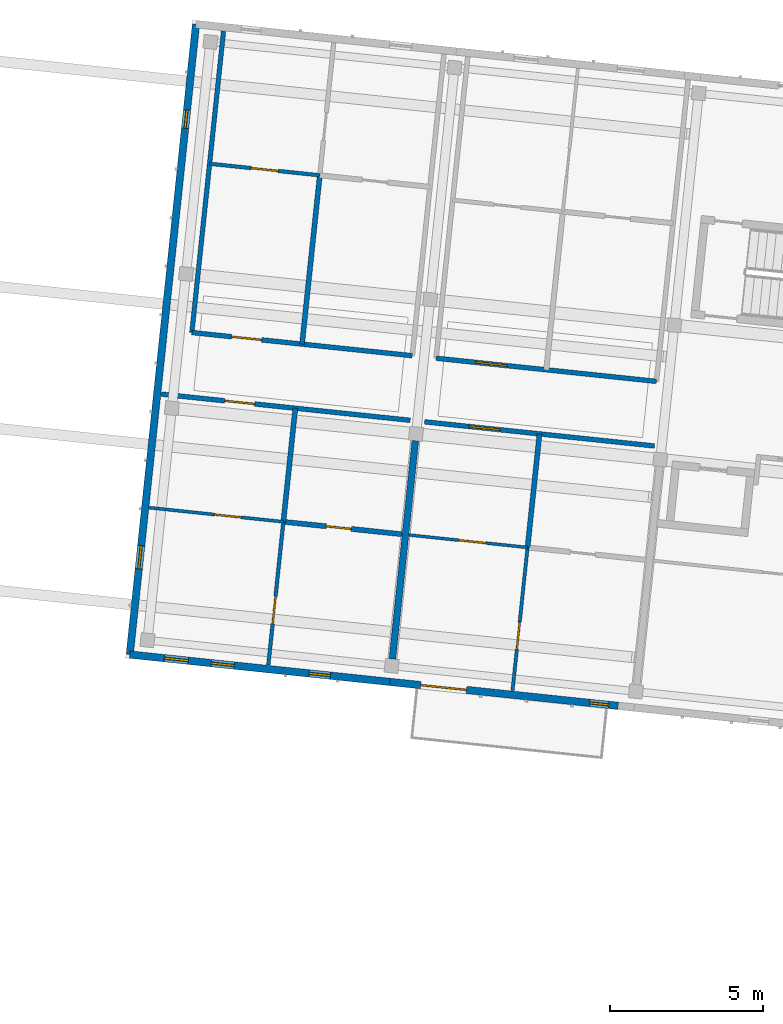
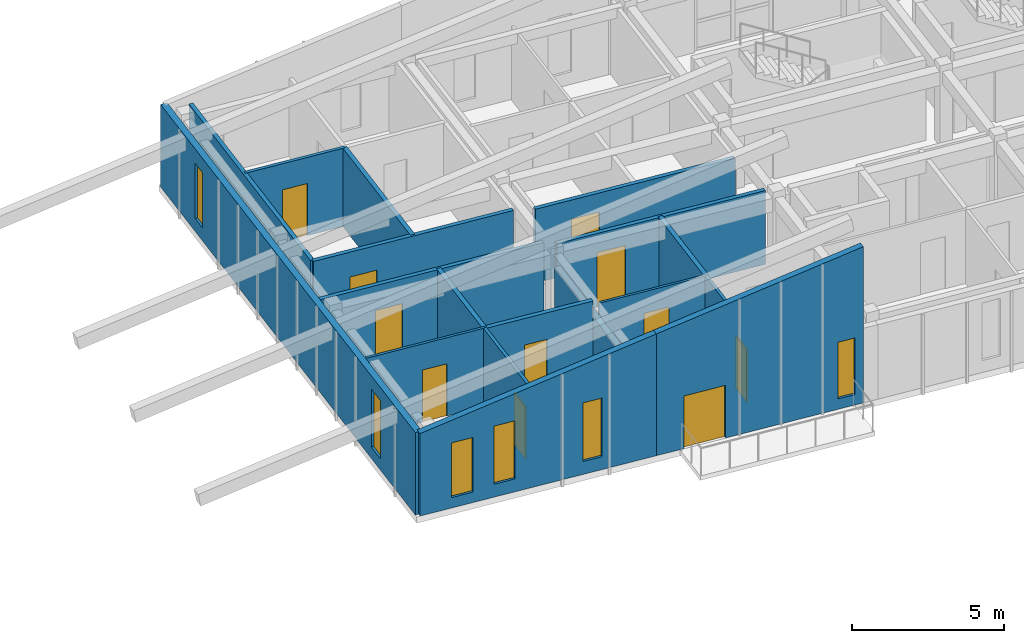
# One storey, part 16 of 34: 18 walls, 11 doors, 6 windows, 17 openings.
"""IFC4 building model written with IfcOpenShell, lengths in metres."""

from ifc_helpers import new_model, si_unit, direction, frame, frame_2d, origin, place, context, subcontext, project, spatial, polyline, rectangle, outline, extrude, material, layer, layer_set, type_object, element, fill, save


model = new_model("IFC4")

# Units and contexts
model_context = context("Model", 3, precision=1e-05, world=origin(), true_north=direction((0.0, 1.0)))
body_context = subcontext(model_context, "Body", "Model", "MODEL_VIEW")
ifc_project = project(units=[si_unit("LENGTHUNIT", "METRE"), si_unit("AREAUNIT", "SQUARE_METRE"), si_unit("VOLUMEUNIT", "CUBIC_METRE"), si_unit("PLANEANGLEUNIT", "RADIAN"), si_unit("MASSUNIT", "GRAM", prefix="KILO")], contexts=[model_context])

# Site, building, storey
site_placement = place(None, origin())
site = spatial("IfcSite", under=ifc_project, at=site_placement, CompositionType="ELEMENT")
building_placement = place(site_placement, origin())
building = spatial("IfcBuilding", under=site, at=building_placement, Name="Kestramere Prow Commons", CompositionType="ELEMENT")
storey_placement = place(building_placement, frame((0.0, 0.0, 34.39990234375)))
storey = spatial("IfcBuildingStorey", under=building, at=storey_placement, Name="L10", CompositionType="ELEMENT", Elevation=34.39990234375)

# Wall, openings, windows
ifc_material_1 = material(Name="Fluoropolymer Standing-Seam Zinc-Aluminium Cladding", Category="aluminium")
ifc_layer_1 = layer(ifc_material_1, 0.239990234375)
ifc_layer_set_1 = layer_set([ifc_layer_1], Name="Fluoropolymer Standing-Seam Zinc-Aluminium Cladding")
wall_type_1 = type_object("IfcWallType", Name="EW-SEAM-240", PredefinedType="SOLIDWALL", material=ifc_layer_set_1)
wall_1_placement = place(storey_placement, frame((125.857421875, 92.60546875, 0.0), z_axis=(0.0, 0.0, 1.0), x_axis=(-0.994521760736, 0.104529744196, 0.0)))
wall_1 = element("IfcWall", 1, at=wall_1_placement, inside=storey, type_object=wall_type_1, Name="Block B L10 South Standing-Seam Wall 2", PredefinedType="SOLIDWALL", context=body_context, shape_type="SweptSolid", body=[
    extrude(outline(polyline([(0.0, 0.0), (8.52490234375, 0.0), (8.52490234375, 3.31884765625), (0.0, 4.900634765625), (0.0, 0.0)])), frame((0.0, 0.1201171875, 0.0), z_axis=(0.0, -1.0, 0.0), x_axis=(1.0, 0.0, 0.0)), (0.0, 0.0, 1.0), 0.239990234375),
])
opening_1_placement = place(wall_1_placement, frame((1.9521484375, 0.0, 0.52001953125)))
opening_1 = element("IfcOpeningElement", 2, at=opening_1_placement, cuts=wall_1, Name="Opening WN-07", PredefinedType="OPENING", context=body_context, shape_type="SweptSolid", body=[
    extrude(rectangle(XDim=0.699951171875, YDim=2.360107421875, at=frame_2d((0.35009765625, 1.18017578125))), frame((0.0, 0.135009765625, 0.0), z_axis=(0.0, -1.0, 0.0), x_axis=(1.0, 0.0, 0.0)), (0.0, 0.0, 1.0), 0.27001953125),
])
opening_2_placement = place(wall_1_placement, frame((5.10009765625, 0.0, 0.52001953125)))
opening_2 = element("IfcOpeningElement", 3, at=opening_2_placement, cuts=wall_1, Name="Opening WN-10", PredefinedType="OPENING", context=body_context, shape_type="SweptSolid", body=[
    extrude(rectangle(XDim=0.760009765625, YDim=2.340087890625, at=frame_2d((0.3798828125, 1.169921875))), frame((0.0, 0.135009765625, 0.0), z_axis=(0.0, -1.0, 0.0), x_axis=(1.0, 0.0, 0.0)), (0.0, 0.0, 1.0), 0.27001953125),
])
opening_3_placement = place(wall_1_placement, frame((6.610107421875, 0.0, 0.419921875)))
opening_3 = element("IfcOpeningElement", 4, at=opening_3_placement, cuts=wall_1, Name="Opening WN-11", PredefinedType="OPENING", context=body_context, shape_type="SweptSolid", body=[
    extrude(rectangle(XDim=0.780029296875, YDim=2.199951171875, at=frame_2d((0.39013671875, 1.10009765625))), frame((0.0, 0.135009765625, 0.0), z_axis=(0.0, -1.0, 0.0), x_axis=(1.0, 0.0, 0.0)), (0.0, 0.0, 1.0), 0.27001953125),
])
ifc_material_2 = material(Name="Low-E Laminated Double Glazing", Category="glass")
window_type_1 = type_object("IfcWindowType", Name="WN-NAR-700A", PartitioningType="SINGLE_PANEL", PredefinedType="WINDOW", material=ifc_material_2)
window_1_placement = place(opening_1_placement, origin())
window_1 = element("IfcWindow", 5, at=window_1_placement, inside=storey, type_object=window_type_1, Name="WN-B-L10-S-1-00", OverallHeight=2.360107421875, OverallWidth=0.699951171875, PartitioningType="SINGLE_PANEL", PredefinedType="WINDOW", context=body_context, shape_type="SweptSolid", body=[
    extrude(rectangle(XDim=0.699951171875, YDim=2.360107421875, at=frame_2d((0.35009765625, 1.18017578125))), frame((0.0, 0.030029296875, 0.0), z_axis=(0.0, -1.0, 0.0), x_axis=(1.0, 0.0, 0.0)), (0.0, 0.0, 1.0), 0.06005859375),
])
fill(opening_1, window_1)
window_type_2 = type_object("IfcWindowType", Name="WN-NAR-760A", PartitioningType="SINGLE_PANEL", PredefinedType="WINDOW", material=ifc_material_2)
window_2_placement = place(opening_2_placement, origin())
window_2 = element("IfcWindow", 6, at=window_2_placement, inside=storey, type_object=window_type_2, Name="WN-B-L10-S-1-10", OverallHeight=2.340087890625, OverallWidth=0.760009765625, PartitioningType="SINGLE_PANEL", PredefinedType="WINDOW", context=body_context, shape_type="SweptSolid", body=[
    extrude(rectangle(XDim=0.760009765625, YDim=2.340087890625, at=frame_2d((0.3798828125, 1.169921875))), frame((0.0, 0.030029296875, 0.0), z_axis=(0.0, -1.0, 0.0), x_axis=(1.0, 0.0, 0.0)), (0.0, 0.0, 1.0), 0.06005859375),
])
fill(opening_2, window_2)
window_type_3 = type_object("IfcWindowType", Name="WN-NAR-780A", PartitioningType="SINGLE_PANEL", PredefinedType="WINDOW", material=ifc_material_2)
window_3_placement = place(opening_3_placement, origin())
window_3 = element("IfcWindow", 7, at=window_3_placement, inside=storey, type_object=window_type_3, Name="WN-B-L10-S-1-11", OverallHeight=2.199951171875, OverallWidth=0.780029296875, PartitioningType="SINGLE_PANEL", PredefinedType="WINDOW", context=body_context, shape_type="SweptSolid", body=[
    extrude(rectangle(XDim=0.780029296875, YDim=2.199951171875, at=frame_2d((0.39013671875, 1.10009765625))), frame((0.0, 0.030029296875, 0.0), z_axis=(0.0, -1.0, 0.0), x_axis=(1.0, 0.0, 0.0)), (0.0, 0.0, 1.0), 0.06005859375),
])
fill(opening_3, window_3)

# Wall, openings, door, window
wall_2_placement = place(storey_placement, frame((133.29150390625, 91.823974609375, 0.0), z_axis=(0.0, 0.0, 1.0), x_axis=(-0.994519939392, 0.104547071461, 0.0)))
wall_2 = element("IfcWall", 8, at=wall_2_placement, inside=storey, type_object=wall_type_1, Name="Block B L10 South Standing-Seam Wall 3", PredefinedType="SOLIDWALL", context=body_context, shape_type="SweptSolid", body=[
    extrude(outline(polyline([(0.0, 0.0), (7.47509765625, 0.0), (7.47509765625, 4.900634765625), (0.0, 6.28759765625), (0.0, 0.0)])), frame((0.0, 0.1201171875, 0.0), z_axis=(0.0, -1.0, 0.0), x_axis=(1.0, 0.0, 0.0)), (0.0, 0.0, 1.0), 0.239990234375),
])
opening_4_placement = place(wall_2_placement, frame((4.969970703125, 0.0, 0.0)))
opening_4 = element("IfcOpeningElement", 9, at=opening_4_placement, cuts=wall_2, Name="Opening GD-BAL-01", PredefinedType="OPENING", context=body_context, shape_type="SweptSolid", body=[
    extrude(rectangle(XDim=1.5, YDim=2.1201171875, at=frame_2d((0.75, 1.06005859375))), frame((0.0, 0.135009765625, 0.0), z_axis=(0.0, -1.0, 0.0), x_axis=(1.0, 0.0, 0.0)), (0.0, 0.0, 1.0), 0.27001953125),
])
opening_5_placement = place(wall_2_placement, frame((0.304931640625, 0.0, 0.419921875)))
opening_5 = element("IfcOpeningElement", 10, at=opening_5_placement, cuts=wall_2, Name="Opening WN-03", PredefinedType="OPENING", context=body_context, shape_type="SweptSolid", body=[
    extrude(rectangle(XDim=0.6201171875, YDim=2.280029296875, at=frame_2d((0.31005859375, 1.14013671875))), frame((0.0, 0.135009765625, 0.0), z_axis=(0.0, -1.0, 0.0), x_axis=(1.0, 0.0, 0.0)), (0.0, 0.0, 1.0), 0.27001953125),
])
ifc_material_3 = material(Name="Thermally-Broken Anodised Aluminium Glazed", Category="aluminium")
door_type_1 = type_object("IfcDoorType", Name="GD-BAL-1500", OperationType="SLIDING_TO_RIGHT", PredefinedType="DOOR", material=ifc_material_3)
door_1_placement = place(opening_4_placement, origin())
door_1 = element("IfcDoor", 11, at=door_1_placement, inside=storey, type_object=door_type_1, Name="Block B L10 Balcony Door 3", OperationType="SLIDING_TO_RIGHT", OverallHeight=2.1201171875, OverallWidth=1.5, PredefinedType="DOOR", context=body_context, shape_type="SweptSolid", body=[
    extrude(rectangle(XDim=1.5, YDim=2.1201171875, at=frame_2d((0.75, 1.06005859375))), frame((0.0, 0.02490234375, 0.0), z_axis=(0.0, -1.0, 0.0), x_axis=(1.0, 0.0, 0.0)), (0.0, 0.0, 1.0), 0.050048828125),
])
fill(opening_4, door_1)
window_type_4 = type_object("IfcWindowType", Name="WN-NAR-620A", PartitioningType="SINGLE_PANEL", PredefinedType="WINDOW", material=ifc_material_2)
window_4_placement = place(opening_5_placement, origin())
window_4 = element("IfcWindow", 12, at=window_4_placement, inside=storey, type_object=window_type_4, Name="WN-B-L10-SR-2", OverallHeight=2.280029296875, OverallWidth=0.6201171875, PartitioningType="SINGLE_PANEL", PredefinedType="WINDOW", context=body_context, shape_type="SweptSolid", body=[
    extrude(rectangle(XDim=0.6201171875, YDim=2.280029296875, at=frame_2d((0.31005859375, 1.14013671875))), frame((0.0, 0.030029296875, 0.0), z_axis=(0.0, -1.0, 0.0), x_axis=(1.0, 0.0, 0.0)), (0.0, 0.0, 1.0), 0.06005859375),
])
fill(opening_5, window_4)

# Wall, openings, windows
wall_3_placement = place(storey_placement, frame((117.379150390625, 93.49658203125, 0.0), z_axis=(0.0, 0.0, 1.0), x_axis=(0.1045253859, 0.994522218808, 0.0)))
wall_3 = element("IfcWall", 13, at=wall_3_placement, inside=storey, type_object=wall_type_1, Name="Block B L10 EAV Facet Wall", PredefinedType="SOLIDWALL", context=body_context, shape_type="SweptSolid", body=[
    extrude(rectangle(XDim=20.64990234375, YDim=0.239990234375, at=frame_2d((10.324951171875, 0.0))), origin(), (0.0, 0.0, 1.0), 3.31884765625),
])
opening_6_placement = place(wall_3_placement, frame((2.81005859375, 0.0, 0.449951171875)))
opening_6 = element("IfcOpeningElement", 14, at=opening_6_placement, cuts=wall_3, Name="Opening WN-10", PredefinedType="OPENING", context=body_context, shape_type="SweptSolid", body=[
    extrude(rectangle(XDim=0.760009765625, YDim=2.340087890625, at=frame_2d((0.3798828125, 1.169921875))), frame((0.0, 0.135009765625, 0.0), z_axis=(0.0, -1.0, 0.0), x_axis=(1.0, 0.0, 0.0)), (0.0, 0.0, 1.0), 0.27001953125),
])
opening_7_placement = place(wall_3_placement, frame((17.239990234375, 0.0, 0.52001953125)))
opening_7 = element("IfcOpeningElement", 15, at=opening_7_placement, cuts=wall_3, Name="Opening WN-02", PredefinedType="OPENING", context=body_context, shape_type="SweptSolid", body=[
    extrude(rectangle(XDim=0.60009765625, YDim=2.219970703125, at=frame_2d((0.300048828125, 1.10986328125))), frame((0.0, 0.135009765625, 0.0), z_axis=(0.0, -1.0, 0.0), x_axis=(1.0, 0.0, 0.0)), (0.0, 0.0, 1.0), 0.27001953125),
])
window_type_5 = type_object("IfcWindowType", Name="WN-NAR-600A", PartitioningType="SINGLE_PANEL", PredefinedType="WINDOW", material=ifc_material_2)
window_5_placement = place(opening_7_placement, origin())
window_5 = element("IfcWindow", 16, at=window_5_placement, inside=storey, type_object=window_type_5, Name="WN-B-L10-EAV-1", OverallHeight=2.219970703125, OverallWidth=0.60009765625, PartitioningType="SINGLE_PANEL", PredefinedType="WINDOW", context=body_context, shape_type="SweptSolid", body=[
    extrude(rectangle(XDim=0.60009765625, YDim=2.219970703125, at=frame_2d((0.300048828125, 1.10986328125))), frame((0.0, 0.030029296875, 0.0), z_axis=(0.0, -1.0, 0.0), x_axis=(1.0, 0.0, 0.0)), (0.0, 0.0, 1.0), 0.06005859375),
])
fill(opening_7, window_5)
window_6_placement = place(opening_6_placement, origin())
window_6 = element("IfcWindow", 17, at=window_6_placement, inside=storey, type_object=window_type_2, Name="WN-B-L10-EAV-0", OverallHeight=2.340087890625, OverallWidth=0.760009765625, PartitioningType="SINGLE_PANEL", PredefinedType="WINDOW", context=body_context, shape_type="SweptSolid", body=[
    extrude(rectangle(XDim=0.760009765625, YDim=2.340087890625, at=frame_2d((0.3798828125, 1.169921875))), frame((0.0, 0.030029296875, 0.0), z_axis=(0.0, -1.0, 0.0), x_axis=(1.0, 0.0, 0.0)), (0.0, 0.0, 1.0), 0.06005859375),
])
fill(opening_6, window_6)

# Wall, opening, door
ifc_material_4 = material(Name="Fire-Rated Calcium Silicate Wall")
ifc_layer_2 = layer(ifc_material_4, 0.155029296875)
ifc_layer_set_2 = layer_set([ifc_layer_2], Name="Fire-Rated Calcium Silicate Wall")
wall_type_2 = type_object("IfcWallType", Name="W-FIRE-150", PredefinedType="PARTITIONING", material=ifc_layer_set_2)
wall_4_placement = place(storey_placement, frame((118.401611328125, 101.981201171875, 0.0), z_axis=(0.0, 0.0, 1.0), x_axis=(0.994520852686, -0.104538383252, 0.0)))
wall_4 = element("IfcWall", 18, at=wall_4_placement, inside=storey, type_object=wall_type_2, Name="Interior Partition PW-B-L10-CS-1", PredefinedType="PARTITIONING", context=body_context, shape_type="SweptSolid", body=[
    extrude(rectangle(XDim=8.159912109375, YDim=0.155029296875, at=frame_2d((4.080078125, 0.0))), origin(), (0.0, 0.0, 1.0), 3.150146484375),
])
opening_8_placement = place(wall_4_placement, frame((2.0849609375, 0.0, 0.0)))
opening_8 = element("IfcOpeningElement", 19, at=opening_8_placement, cuts=wall_4, Name="Opening ID-04", PredefinedType="OPENING", context=body_context, shape_type="SweptSolid", body=[
    extrude(rectangle(XDim=0.97998046875, YDim=2.14990234375, at=frame_2d((0.489990234375, 1.074951171875))), frame((0.0, 0.092529296875, 0.0), z_axis=(0.0, -1.0, 0.0), x_axis=(1.0, 0.0, 0.0)), (0.0, 0.0, 1.0), 0.18505859375),
])
ifc_material_5 = material(Name="Hardwood Fire-Rated Flat Entrance Door", Category="wood")
door_type_2 = type_object("IfcDoorType", Name="FD-ENT-01", OperationType="NOTDEFINED", PredefinedType="DOOR", material=ifc_material_5)
door_2_placement = place(opening_8_placement, origin())
door_2 = element("IfcDoor", 20, at=door_2_placement, inside=storey, type_object=door_type_2, Name="Interior Door DR-B-L10-ENT-S1", OperationType="SINGLE_SWING_RIGHT", OverallHeight=2.14990234375, OverallWidth=0.97998046875, PredefinedType="DOOR", context=body_context, shape_type="SweptSolid", body=[
    extrude(rectangle(XDim=0.97998046875, YDim=2.14990234375, at=frame_2d((0.489990234375, 1.074951171875))), frame((0.0, 0.02490234375, 0.0), z_axis=(0.0, -1.0, 0.0), x_axis=(1.0, 0.0, 0.0)), (0.0, 0.0, 1.0), 0.050048828125),
])
fill(opening_8, door_2)

wall_5_placement = place(storey_placement, frame((126.984375, 101.0791015625, 0.0), z_axis=(0.0, 0.0, 1.0), x_axis=(0.994521785195, -0.104529511491, 0.0)))
wall_5 = element("IfcWall", 21, at=wall_5_placement, inside=storey, type_object=wall_type_2, Name="Interior Partition PW-B-L10-CS-2", PredefinedType="PARTITIONING", context=body_context, shape_type="SweptSolid", body=[
    extrude(rectangle(XDim=7.530029296875, YDim=0.155029296875, at=frame_2d((3.76513671875, 0.0))), origin(), (0.0, 0.0, 1.0), 2.97021484375),
])
opening_9_placement = place(wall_5_placement, frame((1.455078125, 0.0, 0.0)))
opening_9 = element("IfcOpeningElement", 22, at=opening_9_placement, cuts=wall_5, Name="Opening ID-05", PredefinedType="OPENING", context=body_context, shape_type="SweptSolid", body=[
    extrude(rectangle(XDim=1.02001953125, YDim=2.199951171875, at=frame_2d((0.510009765625, 1.10009765625))), frame((0.0, 0.092529296875, 0.0), z_axis=(0.0, -1.0, 0.0), x_axis=(1.0, 0.0, 0.0)), (0.0, 0.0, 1.0), 0.18505859375),
])
door_type_3 = type_object("IfcDoorType", Name="FD-ENT-02", OperationType="NOTDEFINED", PredefinedType="DOOR", material=ifc_material_5)
door_3_placement = place(opening_9_placement, origin())
door_3 = element("IfcDoor", 23, at=door_3_placement, inside=storey, type_object=door_type_3, Name="Interior Door DR-B-L10-ENT-S2", OperationType="SINGLE_SWING_LEFT", OverallHeight=2.199951171875, OverallWidth=1.02001953125, PredefinedType="DOOR", context=body_context, shape_type="SweptSolid", body=[
    extrude(rectangle(XDim=1.02001953125, YDim=2.199951171875, at=frame_2d((0.510009765625, 1.10009765625))), frame((0.0, 0.02490234375, 0.0), z_axis=(0.0, -1.0, 0.0), x_axis=(1.0, 0.0, 0.0)), (0.0, 0.0, 1.0), 0.050048828125),
])
fill(opening_9, door_3)

wall_6_placement = place(storey_placement, frame((119.40185546875, 103.987548828125, 0.0), z_axis=(0.0, 0.0, 1.0), x_axis=(0.994522671024, -0.104521083137, 0.0)))
wall_6 = element("IfcWall", 24, at=wall_6_placement, inside=storey, type_object=wall_type_2, Name="Interior Partition PW-B-L10-CN-1", PredefinedType="PARTITIONING", context=body_context, shape_type="SweptSolid", body=[
    extrude(rectangle(XDim=7.219970703125, YDim=0.155029296875, at=frame_2d((3.60986328125, 0.0))), origin(), (0.0, 0.0, 1.0), 3.150146484375),
])
opening_10_placement = place(wall_6_placement, frame((1.304931640625, 0.0, 0.0)))
opening_10 = element("IfcOpeningElement", 25, at=opening_10_placement, cuts=wall_6, Name="Opening ID-04", PredefinedType="OPENING", context=body_context, shape_type="SweptSolid", body=[
    extrude(rectangle(XDim=0.97998046875, YDim=2.14990234375, at=frame_2d((0.489990234375, 1.074951171875))), frame((0.0, 0.092529296875, 0.0), z_axis=(0.0, -1.0, 0.0), x_axis=(1.0, 0.0, 0.0)), (0.0, 0.0, 1.0), 0.18505859375),
])
door_4_placement = place(opening_10_placement, origin())
door_4 = element("IfcDoor", 26, at=door_4_placement, inside=storey, type_object=door_type_2, Name="Interior Door DR-B-L10-ENT-N1", OperationType="SINGLE_SWING_RIGHT", OverallHeight=2.14990234375, OverallWidth=0.97998046875, PredefinedType="DOOR", context=body_context, shape_type="SweptSolid", body=[
    extrude(rectangle(XDim=0.97998046875, YDim=2.14990234375, at=frame_2d((0.489990234375, 1.074951171875))), frame((0.0, 0.02490234375, 0.0), z_axis=(0.0, -1.0, 0.0), x_axis=(1.0, 0.0, 0.0)), (0.0, 0.0, 1.0), 0.050048828125),
])
fill(opening_10, door_4)

wall_7_placement = place(storey_placement, frame((127.358154296875, 103.1513671875, 0.0), z_axis=(0.0, 0.0, 1.0), x_axis=(0.994522671024, -0.104521083137, 0.0)))
wall_7 = element("IfcWall", 27, at=wall_7_placement, inside=storey, type_object=wall_type_2, Name="Interior Partition PW-B-L10-CN-2", PredefinedType="PARTITIONING", context=body_context, shape_type="SweptSolid", body=[
    extrude(rectangle(XDim=7.219970703125, YDim=0.155029296875, at=frame_2d((3.60986328125, 0.0))), origin(), (0.0, 0.0, 1.0), 2.97021484375),
])
opening_11_placement = place(wall_7_placement, frame((1.304931640625, 0.0, 0.0)))
opening_11 = element("IfcOpeningElement", 28, at=opening_11_placement, cuts=wall_7, Name="Opening ID-05", PredefinedType="OPENING", context=body_context, shape_type="SweptSolid", body=[
    extrude(rectangle(XDim=1.02001953125, YDim=2.199951171875, at=frame_2d((0.510009765625, 1.10009765625))), frame((0.0, 0.092529296875, 0.0), z_axis=(0.0, -1.0, 0.0), x_axis=(1.0, 0.0, 0.0)), (0.0, 0.0, 1.0), 0.18505859375),
])
door_5_placement = place(opening_11_placement, origin())
door_5 = element("IfcDoor", 29, at=door_5_placement, inside=storey, type_object=door_type_3, Name="Interior Door DR-B-L10-ENT-N2", OperationType="SINGLE_SWING_LEFT", OverallHeight=2.199951171875, OverallWidth=1.02001953125, PredefinedType="DOOR", context=body_context, shape_type="SweptSolid", body=[
    extrude(rectangle(XDim=1.02001953125, YDim=2.199951171875, at=frame_2d((0.510009765625, 1.10009765625))), frame((0.0, 0.02490234375, 0.0), z_axis=(0.0, -1.0, 0.0), x_axis=(1.0, 0.0, 0.0)), (0.0, 0.0, 1.0), 0.050048828125),
])
fill(opening_11, door_5)

ifc_material_6 = material(Name="Gypsum Acoustic Drywall")
ifc_layer_3 = layer(ifc_material_6, 0.10009765625)
ifc_layer_set_3 = layer_set([ifc_layer_3], Name="Gypsum Acoustic Drywall")
wall_type_3 = type_object("IfcWallType", Name="W-PART-100", PredefinedType="PARTITIONING", material=ifc_layer_set_3)
wall_8_placement = place(storey_placement, frame((118.0126953125, 98.281494140625, 0.0), z_axis=(0.0, 0.0, 1.0), x_axis=(0.994520660879, -0.104540207986, 0.0)))
wall_8 = element("IfcWall", 30, at=wall_8_placement, inside=storey, type_object=wall_type_3, Name="Interior Partition PW-B-L10-MIDS1-1", PredefinedType="PARTITIONING", context=body_context, shape_type="SweptSolid", body=[
    extrude(rectangle(XDim=4.395263671875, YDim=0.10009765625, at=frame_2d((2.19775390625, 0.0))), origin(), (0.0, 0.0, 1.0), 3.150146484375),
])
opening_12_placement = place(wall_8_placement, frame((2.135009765625, 0.0, 0.0)))
opening_12 = element("IfcOpeningElement", 31, at=opening_12_placement, cuts=wall_8, Name="Opening ID-10", PredefinedType="OPENING", context=body_context, shape_type="SweptSolid", body=[
    extrude(rectangle(XDim=0.8798828125, YDim=2.10009765625, at=frame_2d((0.43994140625, 1.050048828125))), frame((0.0, 0.06494140625, 0.0), z_axis=(0.0, -1.0, 0.0), x_axis=(1.0, 0.0, 0.0)), (0.0, 0.0, 1.0), 0.130126953125),
])
ifc_material_7 = material(Name="Engineered Timber Bedroom Door", Category="wood")
door_type_4 = type_object("IfcDoorType", Name="D-RM-03", OperationType="NOTDEFINED", PredefinedType="DOOR", material=ifc_material_7)
door_6_placement = place(opening_12_placement, origin())
door_6 = element("IfcDoor", 32, at=door_6_placement, inside=storey, type_object=door_type_4, Name="Interior Door DR-B-L10-KL-S1", OperationType="SINGLE_SWING_RIGHT", OverallHeight=2.10009765625, OverallWidth=0.8798828125, PredefinedType="DOOR", context=body_context, shape_type="SweptSolid", body=[
    extrude(rectangle(XDim=0.8798828125, YDim=2.10009765625, at=frame_2d((0.43994140625, 1.050048828125))), frame((0.0, 0.02490234375, 0.0), z_axis=(0.0, -1.0, 0.0), x_axis=(1.0, 0.0, 0.0)), (0.0, 0.0, 1.0), 0.050048828125),
])
fill(opening_12, door_6)

ifc_layer_4 = layer(ifc_material_6, 0.110107421875)
ifc_layer_set_4 = layer_set([ifc_layer_4], Name="Gypsum Acoustic Drywall")
wall_type_4 = type_object("IfcWallType", Name="W-PART-110", PredefinedType="PARTITIONING", material=ifc_layer_set_4)
wall_9_placement = place(storey_placement, frame((129.849609375, 92.321533203125, 0.0), z_axis=(0.0, 0.0, 1.0), x_axis=(0.104527618124, 0.994521984196, 0.0)))
wall_9 = element("IfcWall", 33, at=wall_9_placement, inside=storey, type_object=wall_type_4, Name="Interior Partition PW-B-L10-LB-S2", PredefinedType="PARTITIONING", context=body_context, shape_type="SweptSolid", body=[
    extrude(rectangle(XDim=4.68994140625, YDim=0.110107421875, at=frame_2d((2.344970703125, 0.0))), origin(), (0.0, 0.0, 1.0), 2.97021484375),
])
opening_13_placement = place(wall_9_placement, frame((1.35009765625, 0.0, 0.0)))
opening_13 = element("IfcOpeningElement", 34, at=opening_13_placement, cuts=wall_9, Name="Opening ID-08", PredefinedType="OPENING", context=body_context, shape_type="SweptSolid", body=[
    extrude(rectangle(XDim=0.89990234375, YDim=2.10009765625, at=frame_2d((0.449951171875, 1.050048828125))), frame((0.0, 0.070068359375, 0.0), z_axis=(0.0, -1.0, 0.0), x_axis=(1.0, 0.0, 0.0)), (0.0, 0.0, 1.0), 0.14013671875),
])
ifc_material_8 = material(Name="Engineered Timber Flush Door", Category="wood")
door_type_5 = type_object("IfcDoorType", Name="D-RM-01", OperationType="NOTDEFINED", PredefinedType="DOOR", material=ifc_material_8)
door_7_placement = place(opening_13_placement, origin())
door_7 = element("IfcDoor", 35, at=door_7_placement, inside=storey, type_object=door_type_5, Name="Interior Door DR-B-L10-BED-S2", OperationType="SINGLE_SWING_LEFT", OverallHeight=2.10009765625, OverallWidth=0.89990234375, PredefinedType="DOOR", context=body_context, shape_type="SweptSolid", body=[
    extrude(rectangle(XDim=0.89990234375, YDim=2.10009765625, at=frame_2d((0.449951171875, 1.050048828125))), frame((0.0, 0.02490234375, 0.0), z_axis=(0.0, -1.0, 0.0), x_axis=(1.0, 0.0, 0.0)), (0.0, 0.0, 1.0), 0.050048828125),
])
fill(opening_13, door_7)

ifc_material_9 = material(Name="Lightweight Blockwork and Plaster", Category="masonry")
ifc_layer_5 = layer(ifc_material_9, 0.1201171875)
ifc_layer_set_5 = layer_set([ifc_layer_5], Name="Lightweight Blockwork and Plaster")
wall_type_5 = type_object("IfcWallType", Name="W-PART-120", PredefinedType="PARTITIONING", material=ifc_layer_set_5)
wall_10_placement = place(storey_placement, frame((121.8935546875, 93.15771484375, 0.0), z_axis=(0.0, 0.0, 1.0), x_axis=(0.104527618124, 0.994521984196, 0.0)))
wall_10 = element("IfcWall", 36, at=wall_10_placement, inside=storey, type_object=wall_type_5, Name="Interior Partition PW-B-L10-LB-S1", PredefinedType="PARTITIONING", context=body_context, shape_type="SweptSolid", body=[
    extrude(rectangle(XDim=4.68994140625, YDim=0.1201171875, at=frame_2d((2.344970703125, 0.0))), origin(), (0.0, 0.0, 1.0), 3.150146484375),
])
opening_14_placement = place(wall_10_placement, frame((1.35009765625, 0.0, 0.0)))
opening_14 = element("IfcOpeningElement", 37, at=opening_14_placement, cuts=wall_10, Name="Opening ID-08", PredefinedType="OPENING", context=body_context, shape_type="SweptSolid", body=[
    extrude(rectangle(XDim=0.89990234375, YDim=2.10009765625, at=frame_2d((0.449951171875, 1.050048828125))), frame((0.0, 0.074951171875, 0.0), z_axis=(0.0, -1.0, 0.0), x_axis=(1.0, 0.0, 0.0)), (0.0, 0.0, 1.0), 0.150146484375),
])
door_8_placement = place(opening_14_placement, origin())
door_8 = element("IfcDoor", 38, at=door_8_placement, inside=storey, type_object=door_type_5, Name="Interior Door DR-B-L10-BED-S1", OperationType="SINGLE_SWING_RIGHT", OverallHeight=2.10009765625, OverallWidth=0.89990234375, PredefinedType="DOOR", context=body_context, shape_type="SweptSolid", body=[
    extrude(rectangle(XDim=0.89990234375, YDim=2.10009765625, at=frame_2d((0.449951171875, 1.050048828125))), frame((0.0, 0.02490234375, 0.0), z_axis=(0.0, -1.0, 0.0), x_axis=(1.0, 0.0, 0.0)), (0.0, 0.0, 1.0), 0.050048828125),
])
fill(opening_14, door_8)

wall_11_placement = place(storey_placement, frame((119.97998046875, 109.4873046875, 0.0), z_axis=(0.0, 0.0, 1.0), x_axis=(0.994518785821, -0.104558044398, 0.0)))
wall_11 = element("IfcWall", 39, at=wall_11_placement, inside=storey, type_object=wall_type_5, Name="Interior Partition PW-B-L10-MIDN1-1", PredefinedType="PARTITIONING", context=body_context, shape_type="SweptSolid", body=[
    extrude(rectangle(XDim=3.60986328125, YDim=0.1201171875, at=frame_2d((1.804931640625, 0.0))), origin(), (0.0, 0.0, 1.0), 3.150146484375),
])
opening_15_placement = place(wall_11_placement, frame((1.35498046875, 0.0, 0.0)))
opening_15 = element("IfcOpeningElement", 40, at=opening_15_placement, cuts=wall_11, Name="Opening ID-08", PredefinedType="OPENING", context=body_context, shape_type="SweptSolid", body=[
    extrude(rectangle(XDim=0.89990234375, YDim=2.10009765625, at=frame_2d((0.449951171875, 1.050048828125))), frame((0.0, 0.074951171875, 0.0), z_axis=(0.0, -1.0, 0.0), x_axis=(1.0, 0.0, 0.0)), (0.0, 0.0, 1.0), 0.150146484375),
])
door_9_placement = place(opening_15_placement, origin())
door_9 = element("IfcDoor", 41, at=door_9_placement, inside=storey, type_object=door_type_5, Name="Interior Door DR-B-L10-KL-N1", OperationType="SINGLE_SWING_LEFT", OverallHeight=2.10009765625, OverallWidth=0.89990234375, PredefinedType="DOOR", context=body_context, shape_type="SweptSolid", body=[
    extrude(rectangle(XDim=0.89990234375, YDim=2.10009765625, at=frame_2d((0.449951171875, 1.050048828125))), frame((0.0, 0.02490234375, 0.0), z_axis=(0.0, -1.0, 0.0), x_axis=(1.0, 0.0, 0.0)), (0.0, 0.0, 1.0), 0.050048828125),
])
fill(opening_15, door_9)

# Wall
ifc_material_10 = material(Name="Masonry Compartment Wall", Category="masonry")
ifc_layer_6 = layer(ifc_material_10, 0.14990234375)
ifc_layer_set_6 = layer_set([ifc_layer_6], Name="Masonry Compartment Wall")
wall_type_6 = type_object("IfcWallType", Name="W-PART-150", PredefinedType="PARTITIONING", material=ifc_layer_set_6)
wall_12_placement = place(storey_placement, frame((119.40185546875, 103.987548828125, 0.0), z_axis=(0.0, 0.0, 1.0), x_axis=(0.10453284543, 0.994521434775, 0.0)))
element("IfcWall", 42, at=wall_12_placement, inside=storey, type_object=wall_type_6, Name="Interior Partition PW-B-L10-NWL-1", PredefinedType="PARTITIONING", context=body_context, shape_type="SweptSolid", body=[
    extrude(rectangle(XDim=9.869873046875, YDim=0.14990234375, at=frame_2d((4.93505859375, 0.0))), origin(), (0.0, 0.0, 1.0), 3.150146484375),
])

# Wall, opening, door
ifc_layer_7 = layer(ifc_material_6, 0.094970703125)
ifc_layer_set_7 = layer_set([ifc_layer_7], Name="Gypsum Acoustic Drywall")
wall_type_7 = type_object("IfcWallType", Name="W-PART-95", PredefinedType="PARTITIONING", material=ifc_layer_set_7)
wall_13_placement = place(storey_placement, frame((126.47607421875, 97.39208984375, 0.0), z_axis=(0.0, 0.0, 1.0), x_axis=(0.994517841934, -0.104567021925, 0.0)))
wall_13 = element("IfcWall", 43, at=wall_13_placement, inside=storey, type_object=wall_type_7, Name="Interior Partition PW-B-L10-MIDS1-2", PredefinedType="PARTITIONING", context=body_context, shape_type="SweptSolid", body=[
    extrude(rectangle(XDim=3.885009765625, YDim=0.094970703125, at=frame_2d((1.9423828125, 0.0))), origin(), (0.0, 0.0, 1.0), 2.97021484375),
])
opening_16_placement = place(wall_13_placement, frame((1.625, 0.0, 0.0)))
opening_16 = element("IfcOpeningElement", 44, at=opening_16_placement, cuts=wall_13, Name="Opening ID-08", PredefinedType="OPENING", context=body_context, shape_type="SweptSolid", body=[
    extrude(rectangle(XDim=0.89990234375, YDim=2.10009765625, at=frame_2d((0.449951171875, 1.050048828125))), frame((0.0, 0.0625, 0.0), z_axis=(0.0, -1.0, 0.0), x_axis=(1.0, 0.0, 0.0)), (0.0, 0.0, 1.0), 0.125),
])
door_10_placement = place(opening_16_placement, origin())
door_10 = element("IfcDoor", 45, at=door_10_placement, inside=storey, type_object=door_type_5, Name="Interior Door DR-B-L10-KL-S2", OperationType="SINGLE_SWING_RIGHT", OverallHeight=2.10009765625, OverallWidth=0.89990234375, PredefinedType="DOOR", context=body_context, shape_type="SweptSolid", body=[
    extrude(rectangle(XDim=0.89990234375, YDim=2.10009765625, at=frame_2d((0.449951171875, 1.050048828125))), frame((0.0, 0.02490234375, 0.0), z_axis=(0.0, -1.0, 0.0), x_axis=(1.0, 0.0, 0.0)), (0.0, 0.0, 1.0), 0.050048828125),
])
fill(opening_16, door_10)

ifc_material_11 = material(Name="Waterproof Sanitary Masonry Wall", Category="masonry")
ifc_layer_8 = layer(ifc_material_11, 0.1650390625)
ifc_layer_set_8 = layer_set([ifc_layer_8], Name="Waterproof Sanitary Masonry Wall")
wall_type_8 = type_object("IfcWallType", Name="W-PLUMB-150", PredefinedType="PLUMBINGWALL", material=ifc_layer_set_8)
wall_14_placement = place(storey_placement, frame((122.3837890625, 97.822021484375, 0.0), z_axis=(0.0, 0.0, 1.0), x_axis=(0.994524375082, -0.104504867671, 0.0)))
wall_14 = element("IfcWall", 46, at=wall_14_placement, inside=storey, type_object=wall_type_8, Name="Interior Partition PW-B-L10-MIDS2-1", PredefinedType="PLUMBINGWALL", context=body_context, shape_type="SweptSolid", body=[
    extrude(rectangle(XDim=3.885009765625, YDim=0.1650390625, at=frame_2d((1.9423828125, 0.0))), origin(), (0.0, 0.0, 1.0), 3.150146484375),
])
opening_17_placement = place(wall_14_placement, frame((1.39990234375, 0.0, 0.0)))
opening_17 = element("IfcOpeningElement", 47, at=opening_17_placement, cuts=wall_14, Name="Opening ID-11", PredefinedType="OPENING", context=body_context, shape_type="SweptSolid", body=[
    extrude(rectangle(XDim=0.820068359375, YDim=2.080078125, at=frame_2d((0.41015625, 1.0400390625))), frame((0.0, 0.097412109375, 0.0), z_axis=(0.0, -1.0, 0.0), x_axis=(1.0, 0.0, 0.0)), (0.0, 0.0, 1.0), 0.195068359375),
])
ifc_material_12 = material(Name="Moisture-Resistant Timber Bathroom Door", Category="wood")
door_type_6 = type_object("IfcDoorType", Name="D-BT-01", OperationType="NOTDEFINED", PredefinedType="DOOR", material=ifc_material_12)
door_11_placement = place(opening_17_placement, origin())
door_11 = element("IfcDoor", 48, at=door_11_placement, inside=storey, type_object=door_type_6, Name="Interior Door DR-B-L10-BTH-S1", OperationType="SINGLE_SWING_LEFT", OverallHeight=2.080078125, OverallWidth=0.820068359375, PredefinedType="DOOR", context=body_context, shape_type="SweptSolid", body=[
    extrude(rectangle(XDim=0.820068359375, YDim=2.080078125, at=frame_2d((0.41015625, 1.0400390625))), frame((0.0, 0.02490234375, 0.0), z_axis=(0.0, -1.0, 0.0), x_axis=(1.0, 0.0, 0.0)), (0.0, 0.0, 1.0), 0.050048828125),
])
fill(opening_17, door_11)

# Walls
wall_15_placement = place(storey_placement, frame((122.3837890625, 97.822021484375, 0.0), z_axis=(0.0, 0.0, 1.0), x_axis=(0.10447980711, 0.994527008133, 0.0)))
element("IfcWall", 49, at=wall_15_placement, inside=storey, type_object=wall_type_8, Name="Interior Partition PW-B-L10-KB-S1", PredefinedType="PLUMBINGWALL", context=body_context, shape_type="SweptSolid", body=[
    extrude(rectangle(XDim=3.719970703125, YDim=0.1650390625, at=frame_2d((1.85986328125, 0.0))), origin(), (0.0, 0.0, 1.0), 3.150146484375),
])
wall_16_placement = place(storey_placement, frame((130.33984375, 96.98583984375, 0.0), z_axis=(0.0, 0.0, 1.0), x_axis=(0.104544718065, 0.994520186786, 0.0)))
element("IfcWall", 50, at=wall_16_placement, inside=storey, type_object=wall_type_8, Name="Interior Partition PW-B-L10-KB-S2", PredefinedType="PLUMBINGWALL", context=body_context, shape_type="SweptSolid", body=[
    extrude(rectangle(XDim=3.719970703125, YDim=0.1650390625, at=frame_2d((1.85986328125, 0.0))), origin(), (0.0, 0.0, 1.0), 2.97021484375),
])
wall_17_placement = place(storey_placement, frame((122.9921875, 103.610107421875, 0.0), z_axis=(0.0, 0.0, 1.0), x_axis=(0.104498634796, 0.994525030015, 0.0)))
element("IfcWall", 51, at=wall_17_placement, inside=storey, type_object=wall_type_8, Name="Interior Partition PW-B-L10-KB-N1", PredefinedType="PLUMBINGWALL", context=body_context, shape_type="SweptSolid", body=[
    extrude(rectangle(XDim=5.530029296875, YDim=0.1650390625, at=frame_2d((2.76513671875, 0.0))), origin(), (0.0, 0.0, 1.0), 3.150146484375),
])
ifc_material_13 = material(Name="Precast concrete C40/50", Category="concrete")
ifc_layer_9 = layer(ifc_material_13, 0.219970703125)
ifc_layer_set_9 = layer_set([ifc_layer_9], Name="Precast concrete C40/50")
wall_type_9 = type_object("IfcWallType", Name="W-XWALL-220", PredefinedType="SHEAR", material=ifc_layer_set_9)
wall_18_placement = place(storey_placement, frame((125.935791015625, 93.351318359375, 0.0), z_axis=(0.0, 0.0, 1.0), x_axis=(0.104553253602, 0.994519289487, 0.0)))
element("IfcWall", 52, at=wall_18_placement, inside=storey, type_object=wall_type_9, Name="Block B L10 Precast Cross-Wall 2", PredefinedType="SHEAR", context=body_context, shape_type="SweptSolid", body=[
    extrude(rectangle(XDim=7.150146484375, YDim=0.219970703125, at=frame_2d((3.5751953125, 0.0))), origin(), (0.0, 0.0, 1.0), 2.5),
])

save(model, "model.ifc")
